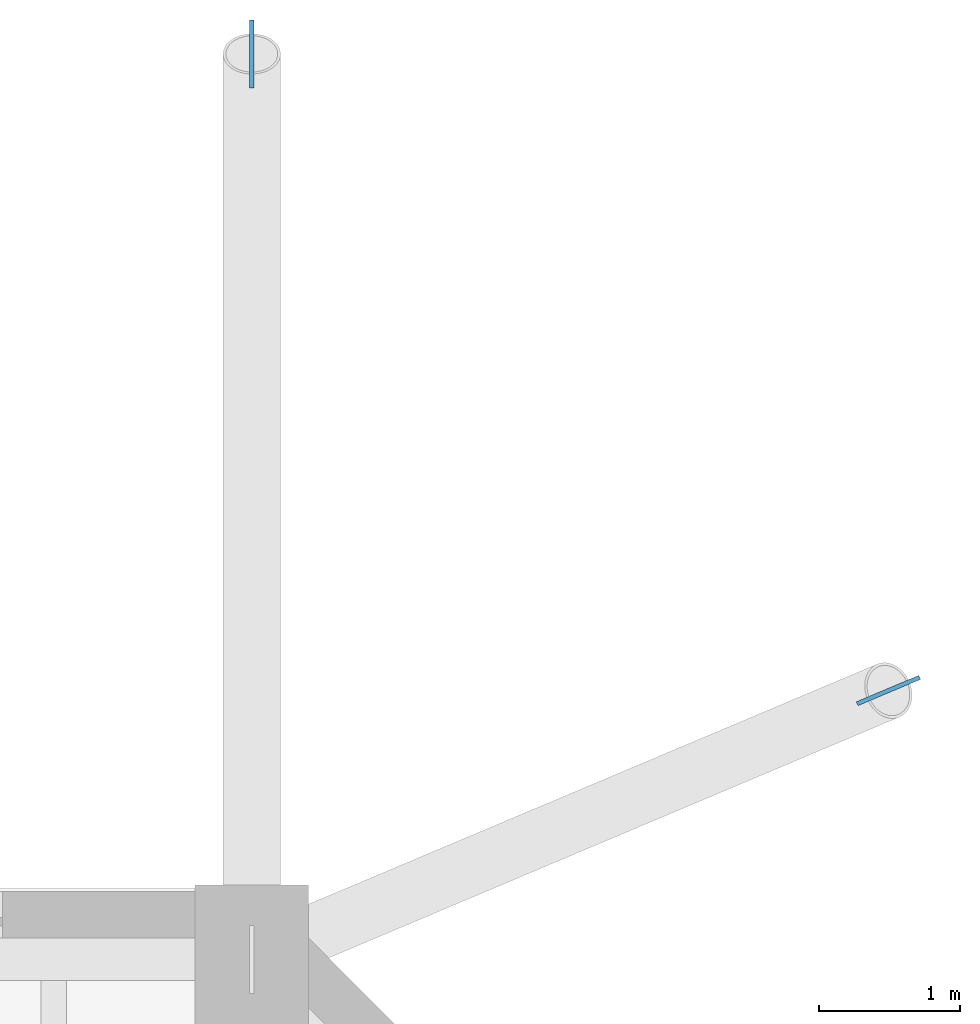
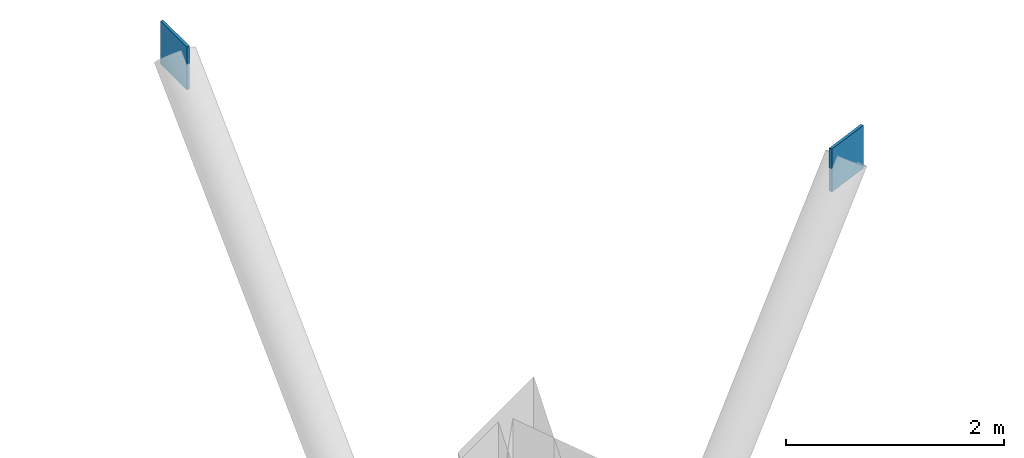
# One storey, part 4 of 12: 2 plates.
"""IFC4 building model written with IfcOpenShell, lengths in metres."""

from ifc_helpers import new_model, si_unit, direction, frame, origin, origin_2d, place, context, subcontext, project, spatial, rectangle, extrude, material, layer, layer_set, type_object, element, save


model = new_model("IFC4")

# Units and contexts
model_context = context("Model", 3, precision=1e-05, world=origin(), true_north=direction((0.0, 1.0)))
body_context = subcontext(model_context, "Body", "Model", "MODEL_VIEW")
ifc_project = project(units=[si_unit("LENGTHUNIT", "METRE"), si_unit("AREAUNIT", "SQUARE_METRE"), si_unit("VOLUMEUNIT", "CUBIC_METRE"), si_unit("PLANEANGLEUNIT", "RADIAN"), si_unit("MASSUNIT", "GRAM", prefix="KILO")], contexts=[model_context])

# Site, building, storey
site_placement = place(None, origin())
site = spatial("IfcSite", under=ifc_project, at=site_placement, CompositionType="ELEMENT")
building_placement = place(site_placement, origin())
building = spatial("IfcBuilding", under=site, at=building_placement, Name="Kranthara Brick Stack", CompositionType="ELEMENT")
storey_placement = place(building_placement, frame((0.0, 0.0, 158.800048828125)))
storey = spatial("IfcBuildingStorey", under=building, at=storey_placement, Name="L40", CompositionType="ELEMENT", Elevation=158.800048828125)

# Plates
ifc_material = material(Name="Steel S355", Category="steel")
ifc_layer = layer(ifc_material, 0.030029296875)
ifc_layer_set = layer_set([ifc_layer], Name="Steel S355")
plate_type = type_object("IfcPlateType", Name="PLT-GUSSET-30", PredefinedType="USERDEFINED", material=ifc_layer_set)
for number, where, z_axis, x_axis, name in (
    (1, (50.699951171875, 52.39990234375, 2.510009765625), (0.0, 0.0, 1.0), (0.0, 1.0, 0.0), "L40 Brace and Strut End Connection Gusset Plate 076"),
    (2, (55.199951171875, 47.89990234375, 2.510009765625), (0.0, 0.0, 1.0), (0.921185405566, 0.38912395014, 0.0), "L40 Brace and Strut End Connection Gusset Plate 078"),
):
    element("IfcPlate", number, at=place(storey_placement, frame(where, z_axis=z_axis, x_axis=x_axis)), inside=storey, type_object=plate_type, Name=name, ObjectType="GUSSET PLATE", PredefinedType="USERDEFINED", context=body_context, shape_type="SweptSolid", body=[
        extrude(rectangle(XDim=0.47998046875, YDim=0.030029296875, at=origin_2d()), origin(), (0.0, 0.0, 1.0), 0.47998046875),
    ])

save(model, "model.ifc")
